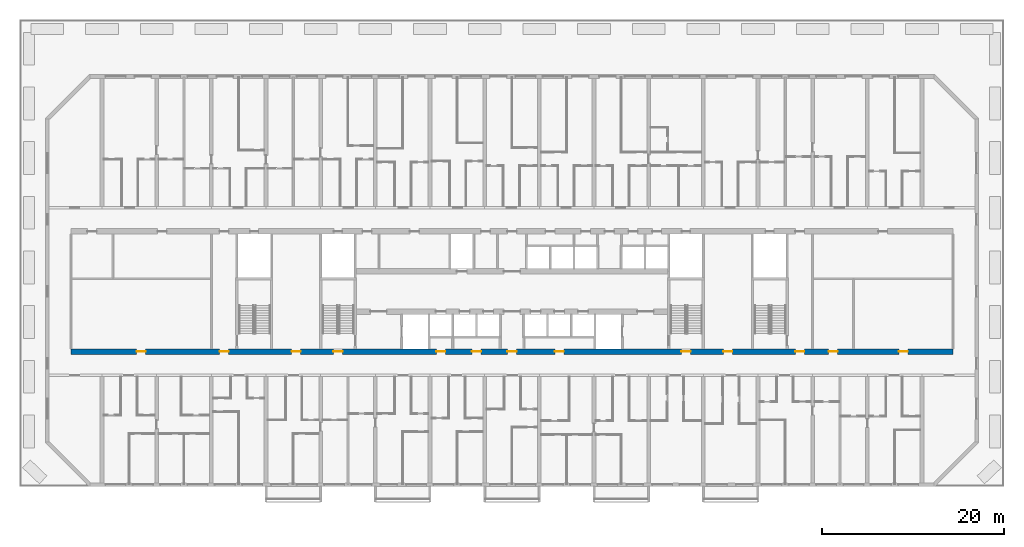
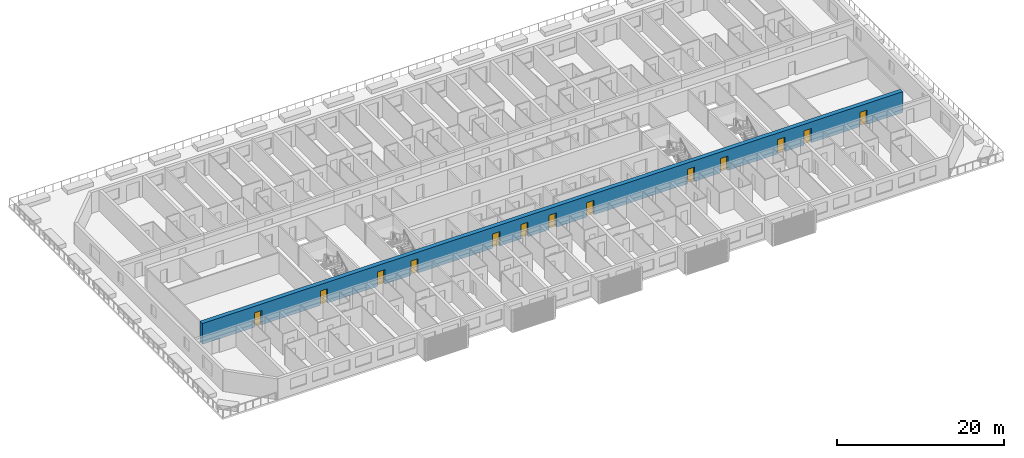
# One storey, part 8 of 23: 13 doors, 1 wall, 13 openings.
"""IFC4 building model written with IfcOpenShell, lengths in metres."""

from ifc_helpers import new_model, si_unit, direction, frame, frame_2d, origin, place, context, subcontext, project, spatial, rectangle, extrude, material, layer, layer_set, type_object, element, fill, save


model = new_model("IFC4")

# Units and contexts
model_context = context("Model", 3, precision=1e-05, world=origin(), true_north=direction((0.0, 1.0)))
body_context = subcontext(model_context, "Body", "Model", "MODEL_VIEW")
ifc_project = project(units=[si_unit("LENGTHUNIT", "METRE"), si_unit("AREAUNIT", "SQUARE_METRE"), si_unit("VOLUMEUNIT", "CUBIC_METRE"), si_unit("PLANEANGLEUNIT", "RADIAN"), si_unit("MASSUNIT", "GRAM", prefix="KILO")], contexts=[model_context])

# Site, building, storey
site_placement = place(None, origin())
site = spatial("IfcSite", under=ifc_project, at=site_placement, CompositionType="ELEMENT")
building_placement = place(site_placement, origin())
building = spatial("IfcBuilding", under=site, at=building_placement, Name="Poui Terraces", CompositionType="ELEMENT")
storey_placement = place(building_placement, frame((0.0, 0.0, 23.39990234375)))
storey = spatial("IfcBuildingStorey", under=building, at=storey_placement, Name="L05", CompositionType="ELEMENT", Elevation=23.39990234375)

# Wall, openings, doors
ifc_material_1 = material(Name="Concrete 80 MPa", Category="concrete")
ifc_layer = layer(ifc_material_1, 0.60009765625)
ifc_layer_set = layer_set([ifc_layer], Name="Concrete 80 MPa")
wall_type = type_object("IfcWallType", Name="SPINE WALL 600 80 MPA", PredefinedType="SOLIDWALL", material=ifc_layer_set)
wall_placement = place(storey_placement, frame((2.60009765625, 14.60009765625, 0.0), z_axis=(0.0, 0.0, 1.0), x_axis=(1.0, 0.0, 0.0)))
wall = element("IfcWall", 1, at=wall_placement, inside=storey, type_object=wall_type, Name="SPINE WALL", PredefinedType="SOLIDWALL", context=body_context, shape_type="SweptSolid", body=[
    extrude(rectangle(XDim=96.7998046875, YDim=0.60009765625, at=frame_2d((48.39990234375, 0.0))), origin(), (0.0, 0.0, 1.0), 3.050048828125),
])
opening_1_placement = place(wall_placement, frame((7.199951171875, 0.0, 0.0)))
opening_1 = element("IfcOpeningElement", 2, at=opening_1_placement, cuts=wall, Name="Opening FD60", PredefinedType="OPENING", context=body_context, shape_type="SweptSolid", body=[
    extrude(rectangle(XDim=1.0, YDim=2.10009765625, at=frame_2d((0.5, 1.050048828125))), frame((0.0, 0.31005859375, 0.0), z_axis=(0.0, -1.0, 0.0), x_axis=(1.0, 0.0, 0.0)), (0.0, 0.0, 1.0), 0.6201171875),
])
opening_2_placement = place(wall_placement, frame((16.300048828125, 0.0, 0.0)))
opening_2 = element("IfcOpeningElement", 3, at=opening_2_placement, cuts=wall, Name="Opening FDL", PredefinedType="OPENING", context=body_context, shape_type="SweptSolid", body=[
    extrude(rectangle(XDim=1.0, YDim=2.10009765625, at=frame_2d((0.5, 1.050048828125))), frame((0.0, 0.31005859375, 0.0), z_axis=(0.0, -1.0, 0.0), x_axis=(1.0, 0.0, 0.0)), (0.0, 0.0, 1.0), 0.6201171875),
])
opening_3_placement = place(wall_placement, frame((24.199951171875, 0.0, 0.0)))
opening_3 = element("IfcOpeningElement", 4, at=opening_3_placement, cuts=wall, Name="Opening D100", PredefinedType="OPENING", context=body_context, shape_type="SweptSolid", body=[
    extrude(rectangle(XDim=1.0, YDim=2.10009765625, at=frame_2d((0.5, 1.050048828125))), frame((0.0, 0.31005859375, 0.0), z_axis=(0.0, -1.0, 0.0), x_axis=(1.0, 0.0, 0.0)), (0.0, 0.0, 1.0), 0.6201171875),
])
opening_4_placement = place(wall_placement, frame((28.800048828125, 0.0, 0.0)))
opening_4 = element("IfcOpeningElement", 5, at=opening_4_placement, cuts=wall, Name="Opening FD60S", PredefinedType="OPENING", context=body_context, shape_type="SweptSolid", body=[
    extrude(rectangle(XDim=1.0, YDim=2.10009765625, at=frame_2d((0.5, 1.050048828125))), frame((0.0, 0.31005859375, 0.0), z_axis=(0.0, -1.0, 0.0), x_axis=(1.0, 0.0, 0.0)), (0.0, 0.0, 1.0), 0.6201171875),
])
opening_5_placement = place(wall_placement, frame((40.10009765625, 0.0, 0.0)))
opening_5 = element("IfcOpeningElement", 6, at=opening_5_placement, cuts=wall, Name="Opening FD60", PredefinedType="OPENING", context=body_context, shape_type="SweptSolid", body=[
    extrude(rectangle(XDim=1.0, YDim=2.10009765625, at=frame_2d((0.5, 1.050048828125))), frame((0.0, 0.31005859375, 0.0), z_axis=(0.0, -1.0, 0.0), x_axis=(1.0, 0.0, 0.0)), (0.0, 0.0, 1.0), 0.6201171875),
])
opening_6_placement = place(wall_placement, frame((44.0, 0.0, 0.0)))
opening_6 = element("IfcOpeningElement", 7, at=opening_6_placement, cuts=wall, Name="Opening FD60", PredefinedType="OPENING", context=body_context, shape_type="SweptSolid", body=[
    extrude(rectangle(XDim=1.0, YDim=2.10009765625, at=frame_2d((0.5, 1.050048828125))), frame((0.0, 0.31005859375, 0.0), z_axis=(0.0, -1.0, 0.0), x_axis=(1.0, 0.0, 0.0)), (0.0, 0.0, 1.0), 0.6201171875),
])
opening_7_placement = place(wall_placement, frame((47.89990234375, 0.0, 0.0)))
opening_7 = element("IfcOpeningElement", 8, at=opening_7_placement, cuts=wall, Name="Opening FDL", PredefinedType="OPENING", context=body_context, shape_type="SweptSolid", body=[
    extrude(rectangle(XDim=1.0, YDim=2.10009765625, at=frame_2d((0.5, 1.050048828125))), frame((0.0, 0.31005859375, 0.0), z_axis=(0.0, -1.0, 0.0), x_axis=(1.0, 0.0, 0.0)), (0.0, 0.0, 1.0), 0.6201171875),
])
opening_8_placement = place(wall_placement, frame((53.10009765625, 0.0, 0.0)))
opening_8 = element("IfcOpeningElement", 9, at=opening_8_placement, cuts=wall, Name="Opening FD60", PredefinedType="OPENING", context=body_context, shape_type="SweptSolid", body=[
    extrude(rectangle(XDim=1.0, YDim=2.10009765625, at=frame_2d((0.5, 1.050048828125))), frame((0.0, 0.31005859375, 0.0), z_axis=(0.0, -1.0, 0.0), x_axis=(1.0, 0.0, 0.0)), (0.0, 0.0, 1.0), 0.6201171875),
])
opening_9_placement = place(wall_placement, frame((67.0, 0.0, 0.0)))
opening_9 = element("IfcOpeningElement", 10, at=opening_9_placement, cuts=wall, Name="Opening FD60S", PredefinedType="OPENING", context=body_context, shape_type="SweptSolid", body=[
    extrude(rectangle(XDim=1.0, YDim=2.10009765625, at=frame_2d((0.5, 1.050048828125))), frame((0.0, 0.31005859375, 0.0), z_axis=(0.0, -1.0, 0.0), x_axis=(1.0, 0.0, 0.0)), (0.0, 0.0, 1.0), 0.6201171875),
])
opening_10_placement = place(wall_placement, frame((71.60009765625, 0.0, 0.0)))
opening_10 = element("IfcOpeningElement", 11, at=opening_10_placement, cuts=wall, Name="Opening D100", PredefinedType="OPENING", context=body_context, shape_type="SweptSolid", body=[
    extrude(rectangle(XDim=1.0, YDim=2.10009765625, at=frame_2d((0.5, 1.050048828125))), frame((0.0, 0.31005859375, 0.0), z_axis=(0.0, -1.0, 0.0), x_axis=(1.0, 0.0, 0.0)), (0.0, 0.0, 1.0), 0.6201171875),
])
opening_11_placement = place(wall_placement, frame((79.5, 0.0, 0.0)))
opening_11 = element("IfcOpeningElement", 12, at=opening_11_placement, cuts=wall, Name="Opening FDL", PredefinedType="OPENING", context=body_context, shape_type="SweptSolid", body=[
    extrude(rectangle(XDim=1.0, YDim=2.10009765625, at=frame_2d((0.5, 1.050048828125))), frame((0.0, 0.31005859375, 0.0), z_axis=(0.0, -1.0, 0.0), x_axis=(1.0, 0.0, 0.0)), (0.0, 0.0, 1.0), 0.6201171875),
])
opening_12_placement = place(wall_placement, frame((83.14990234375, 0.0, 0.0)))
opening_12 = element("IfcOpeningElement", 13, at=opening_12_placement, cuts=wall, Name="Opening FD60", PredefinedType="OPENING", context=body_context, shape_type="SweptSolid", body=[
    extrude(rectangle(XDim=1.0, YDim=2.10009765625, at=frame_2d((0.5, 1.050048828125))), frame((0.0, 0.31005859375, 0.0), z_axis=(0.0, -1.0, 0.0), x_axis=(1.0, 0.0, 0.0)), (0.0, 0.0, 1.0), 0.6201171875),
])
opening_13_placement = place(wall_placement, frame((90.85009765625, 0.0, 0.0)))
opening_13 = element("IfcOpeningElement", 14, at=opening_13_placement, cuts=wall, Name="Opening FD60", PredefinedType="OPENING", context=body_context, shape_type="SweptSolid", body=[
    extrude(rectangle(XDim=1.0, YDim=2.10009765625, at=frame_2d((0.5, 1.050048828125))), frame((0.0, 0.31005859375, 0.0), z_axis=(0.0, -1.0, 0.0), x_axis=(1.0, 0.0, 0.0)), (0.0, 0.0, 1.0), 0.6201171875),
])
ifc_material_2 = material(Name="Solid core timber door", Category="wood")
door_type_1 = type_object("IfcDoorType", Name="ACCESSIBLE INTERNAL DOOR 1000 X 2100", OperationType="NOTDEFINED", PredefinedType="DOOR", material=ifc_material_2)
door_1_placement = place(opening_3_placement, frame((1.0, 0.0, 0.0), z_axis=(0.0, 0.0, 1.0), x_axis=(-1.0, 0.0, 0.0)))
door_1 = element("IfcDoor", 15, at=door_1_placement, inside=storey, type_object=door_type_1, Name="ACCESSIBLE INTERNAL DOOR 021", OperationType="SINGLE_SWING_RIGHT", OverallHeight=2.10009765625, OverallWidth=1.0, PredefinedType="DOOR", context=body_context, shape_type="SweptSolid", body=[
    extrude(rectangle(XDim=1.0, YDim=2.10009765625, at=frame_2d((0.5, 1.050048828125))), frame((0.0, 0.02490234375, 0.0), z_axis=(0.0, -1.0, 0.0), x_axis=(1.0, 0.0, 0.0)), (0.0, 0.0, 1.0), 0.050048828125),
])
fill(opening_3, door_1)
door_2_placement = place(opening_10_placement, frame((1.0, 0.0, 0.0), z_axis=(0.0, 0.0, 1.0), x_axis=(-1.0, 0.0, 0.0)))
door_2 = element("IfcDoor", 16, at=door_2_placement, inside=storey, type_object=door_type_1, Name="ACCESSIBLE INTERNAL DOOR 028", OperationType="SINGLE_SWING_LEFT", OverallHeight=2.10009765625, OverallWidth=1.0, PredefinedType="DOOR", context=body_context, shape_type="SweptSolid", body=[
    extrude(rectangle(XDim=1.0, YDim=2.10009765625, at=frame_2d((0.5, 1.050048828125))), frame((0.0, 0.02490234375, 0.0), z_axis=(0.0, -1.0, 0.0), x_axis=(1.0, 0.0, 0.0)), (0.0, 0.0, 1.0), 0.050048828125),
])
fill(opening_10, door_2)
ifc_material_3 = material(Name="Steel fire door", Category="steel")
door_type_2 = type_object("IfcDoorType", Name="LOBBY FIRE DOOR 1000 X 2100", OperationType="NOTDEFINED", PredefinedType="DOOR", material=ifc_material_3)
door_3_placement = place(opening_2_placement, frame((1.0, 0.0, 0.0), z_axis=(0.0, 0.0, 1.0), x_axis=(-1.0, 0.0, 0.0)))
door_3 = element("IfcDoor", 17, at=door_3_placement, inside=storey, type_object=door_type_2, Name="LOBBY FIRE DOOR 020", OperationType="SINGLE_SWING_RIGHT", OverallHeight=2.10009765625, OverallWidth=1.0, PredefinedType="DOOR", context=body_context, shape_type="SweptSolid", body=[
    extrude(rectangle(XDim=1.0, YDim=2.10009765625, at=frame_2d((0.5, 1.050048828125))), frame((0.0, 0.02490234375, 0.0), z_axis=(0.0, -1.0, 0.0), x_axis=(1.0, 0.0, 0.0)), (0.0, 0.0, 1.0), 0.050048828125),
])
fill(opening_2, door_3)
door_4_placement = place(opening_7_placement, frame((1.0, 0.0, 0.0), z_axis=(0.0, 0.0, 1.0), x_axis=(-1.0, 0.0, 0.0)))
door_4 = element("IfcDoor", 18, at=door_4_placement, inside=storey, type_object=door_type_2, Name="LOBBY FIRE DOOR 025", OperationType="SINGLE_SWING_LEFT", OverallHeight=2.10009765625, OverallWidth=1.0, PredefinedType="DOOR", context=body_context, shape_type="SweptSolid", body=[
    extrude(rectangle(XDim=1.0, YDim=2.10009765625, at=frame_2d((0.5, 1.050048828125))), frame((0.0, 0.02490234375, 0.0), z_axis=(0.0, -1.0, 0.0), x_axis=(1.0, 0.0, 0.0)), (0.0, 0.0, 1.0), 0.050048828125),
])
fill(opening_7, door_4)
door_5_placement = place(opening_11_placement, frame((1.0, 0.0, 0.0), z_axis=(0.0, 0.0, 1.0), x_axis=(-1.0, 0.0, 0.0)))
door_5 = element("IfcDoor", 19, at=door_5_placement, inside=storey, type_object=door_type_2, Name="LOBBY FIRE DOOR 029", OperationType="SINGLE_SWING_LEFT", OverallHeight=2.10009765625, OverallWidth=1.0, PredefinedType="DOOR", context=body_context, shape_type="SweptSolid", body=[
    extrude(rectangle(XDim=1.0, YDim=2.10009765625, at=frame_2d((0.5, 1.050048828125))), frame((0.0, 0.02490234375, 0.0), z_axis=(0.0, -1.0, 0.0), x_axis=(1.0, 0.0, 0.0)), (0.0, 0.0, 1.0), 0.050048828125),
])
fill(opening_11, door_5)
door_type_3 = type_object("IfcDoorType", Name="SERVICE ROOM FIRE DOOR 1000 X 2100", OperationType="NOTDEFINED", PredefinedType="DOOR", material=ifc_material_3)
door_6_placement = place(opening_1_placement, frame((1.0, 0.0, 0.0), z_axis=(0.0, 0.0, 1.0), x_axis=(-1.0, 0.0, 0.0)))
door_6 = element("IfcDoor", 20, at=door_6_placement, inside=storey, type_object=door_type_3, Name="SERVICE ROOM FIRE DOOR 019", OperationType="SINGLE_SWING_RIGHT", OverallHeight=2.10009765625, OverallWidth=1.0, PredefinedType="DOOR", context=body_context, shape_type="SweptSolid", body=[
    extrude(rectangle(XDim=1.0, YDim=2.10009765625, at=frame_2d((0.5, 1.050048828125))), frame((0.0, 0.02490234375, 0.0), z_axis=(0.0, -1.0, 0.0), x_axis=(1.0, 0.0, 0.0)), (0.0, 0.0, 1.0), 0.050048828125),
])
fill(opening_1, door_6)
door_7_placement = place(opening_5_placement, frame((1.0, 0.0, 0.0), z_axis=(0.0, 0.0, 1.0), x_axis=(-1.0, 0.0, 0.0)))
door_7 = element("IfcDoor", 21, at=door_7_placement, inside=storey, type_object=door_type_3, Name="SERVICE ROOM FIRE DOOR 023", OperationType="SINGLE_SWING_LEFT", OverallHeight=2.10009765625, OverallWidth=1.0, PredefinedType="DOOR", context=body_context, shape_type="SweptSolid", body=[
    extrude(rectangle(XDim=1.0, YDim=2.10009765625, at=frame_2d((0.5, 1.050048828125))), frame((0.0, 0.02490234375, 0.0), z_axis=(0.0, -1.0, 0.0), x_axis=(1.0, 0.0, 0.0)), (0.0, 0.0, 1.0), 0.050048828125),
])
fill(opening_5, door_7)
door_8_placement = place(opening_6_placement, frame((1.0, 0.0, 0.0), z_axis=(0.0, 0.0, 1.0), x_axis=(-1.0, 0.0, 0.0)))
door_8 = element("IfcDoor", 22, at=door_8_placement, inside=storey, type_object=door_type_3, Name="SERVICE ROOM FIRE DOOR 024", OperationType="SINGLE_SWING_RIGHT", OverallHeight=2.10009765625, OverallWidth=1.0, PredefinedType="DOOR", context=body_context, shape_type="SweptSolid", body=[
    extrude(rectangle(XDim=1.0, YDim=2.10009765625, at=frame_2d((0.5, 1.050048828125))), frame((0.0, 0.02490234375, 0.0), z_axis=(0.0, -1.0, 0.0), x_axis=(1.0, 0.0, 0.0)), (0.0, 0.0, 1.0), 0.050048828125),
])
fill(opening_6, door_8)
door_9_placement = place(opening_8_placement, frame((1.0, 0.0, 0.0), z_axis=(0.0, 0.0, 1.0), x_axis=(-1.0, 0.0, 0.0)))
door_9 = element("IfcDoor", 23, at=door_9_placement, inside=storey, type_object=door_type_3, Name="SERVICE ROOM FIRE DOOR 026", OperationType="SINGLE_SWING_LEFT", OverallHeight=2.10009765625, OverallWidth=1.0, PredefinedType="DOOR", context=body_context, shape_type="SweptSolid", body=[
    extrude(rectangle(XDim=1.0, YDim=2.10009765625, at=frame_2d((0.5, 1.050048828125))), frame((0.0, 0.02490234375, 0.0), z_axis=(0.0, -1.0, 0.0), x_axis=(1.0, 0.0, 0.0)), (0.0, 0.0, 1.0), 0.050048828125),
])
fill(opening_8, door_9)
door_10_placement = place(opening_12_placement, frame((1.0, 0.0, 0.0), z_axis=(0.0, 0.0, 1.0), x_axis=(-1.0, 0.0, 0.0)))
door_10 = element("IfcDoor", 24, at=door_10_placement, inside=storey, type_object=door_type_3, Name="SERVICE ROOM FIRE DOOR 030", OperationType="SINGLE_SWING_LEFT", OverallHeight=2.10009765625, OverallWidth=1.0, PredefinedType="DOOR", context=body_context, shape_type="SweptSolid", body=[
    extrude(rectangle(XDim=1.0, YDim=2.10009765625, at=frame_2d((0.5, 1.050048828125))), frame((0.0, 0.02490234375, 0.0), z_axis=(0.0, -1.0, 0.0), x_axis=(1.0, 0.0, 0.0)), (0.0, 0.0, 1.0), 0.050048828125),
])
fill(opening_12, door_10)
door_11_placement = place(opening_13_placement, frame((1.0, 0.0, 0.0), z_axis=(0.0, 0.0, 1.0), x_axis=(-1.0, 0.0, 0.0)))
door_11 = element("IfcDoor", 25, at=door_11_placement, inside=storey, type_object=door_type_3, Name="SERVICE ROOM FIRE DOOR 031", OperationType="SINGLE_SWING_RIGHT", OverallHeight=2.10009765625, OverallWidth=1.0, PredefinedType="DOOR", context=body_context, shape_type="SweptSolid", body=[
    extrude(rectangle(XDim=1.0, YDim=2.10009765625, at=frame_2d((0.5, 1.050048828125))), frame((0.0, 0.02490234375, 0.0), z_axis=(0.0, -1.0, 0.0), x_axis=(1.0, 0.0, 0.0)), (0.0, 0.0, 1.0), 0.050048828125),
])
fill(opening_13, door_11)
door_type_4 = type_object("IfcDoorType", Name="STAIR DOOR 1000 X 2100", OperationType="NOTDEFINED", PredefinedType="DOOR", material=ifc_material_3)
door_12_placement = place(opening_4_placement, origin())
door_12 = element("IfcDoor", 26, at=door_12_placement, inside=storey, type_object=door_type_4, Name="STAIR DOOR 022", OperationType="SINGLE_SWING_RIGHT", OverallHeight=2.10009765625, OverallWidth=1.0, PredefinedType="DOOR", context=body_context, shape_type="SweptSolid", body=[
    extrude(rectangle(XDim=1.0, YDim=2.10009765625, at=frame_2d((0.5, 1.050048828125))), frame((0.0, 0.02490234375, 0.0), z_axis=(0.0, -1.0, 0.0), x_axis=(1.0, 0.0, 0.0)), (0.0, 0.0, 1.0), 0.050048828125),
])
fill(opening_4, door_12)
door_13_placement = place(opening_9_placement, origin())
door_13 = element("IfcDoor", 27, at=door_13_placement, inside=storey, type_object=door_type_4, Name="STAIR DOOR 027", OperationType="SINGLE_SWING_RIGHT", OverallHeight=2.10009765625, OverallWidth=1.0, PredefinedType="DOOR", context=body_context, shape_type="SweptSolid", body=[
    extrude(rectangle(XDim=1.0, YDim=2.10009765625, at=frame_2d((0.5, 1.050048828125))), frame((0.0, 0.02490234375, 0.0), z_axis=(0.0, -1.0, 0.0), x_axis=(1.0, 0.0, 0.0)), (0.0, 0.0, 1.0), 0.050048828125),
])
fill(opening_9, door_13)

save(model, "model.ifc")
